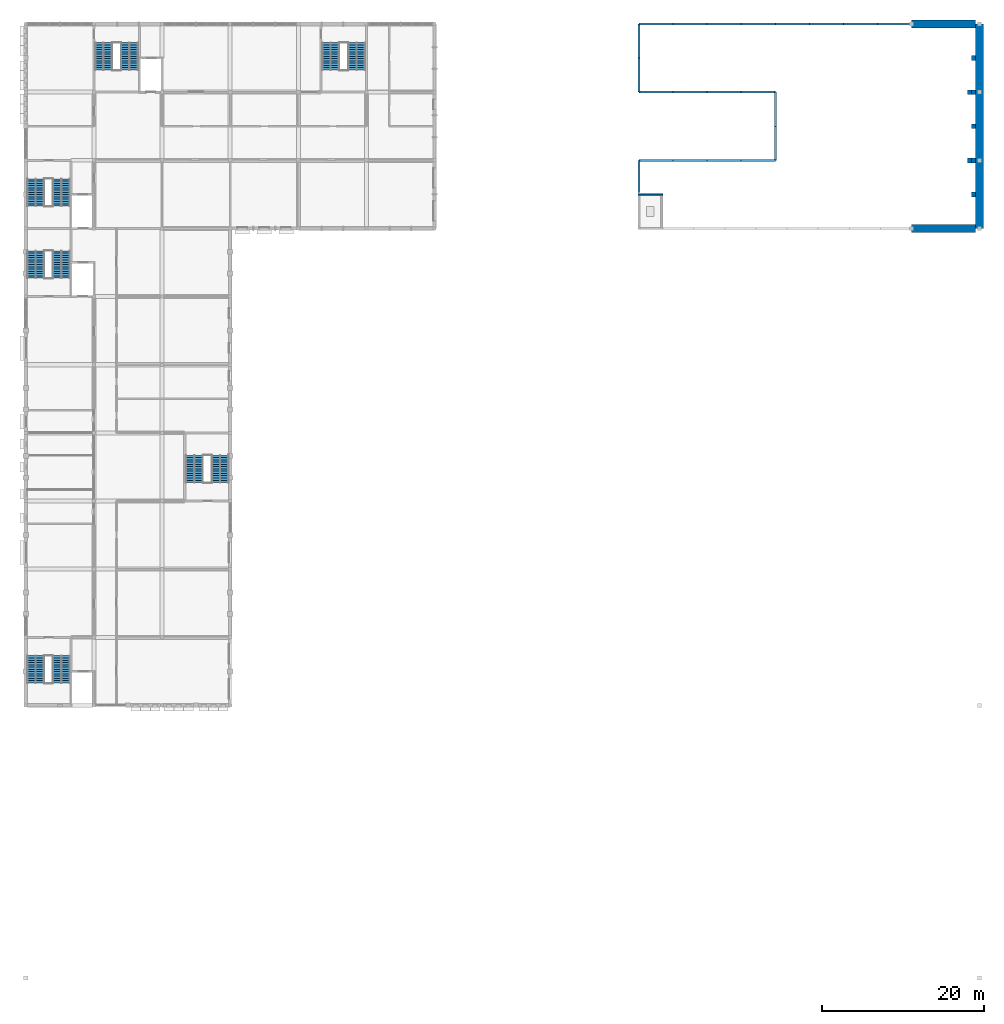
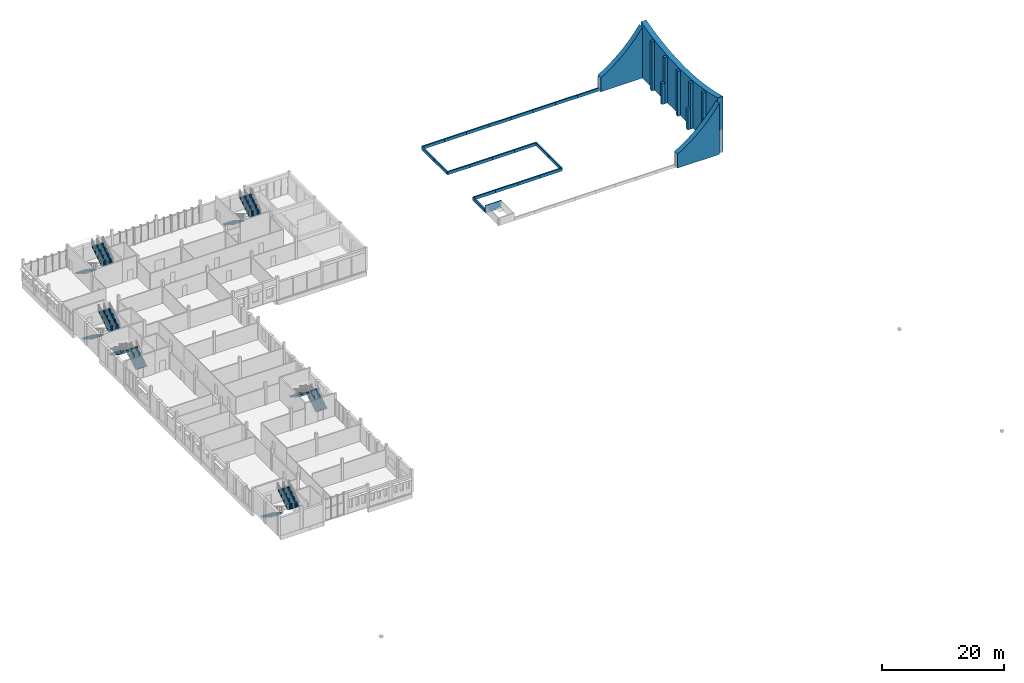
# One storey, part 20 of 22: 32 walls, 12 stair flights, 6 elements without a shape of their own.
"""IFC4 building model written with IfcOpenShell, lengths in metres."""

from ifc_helpers import new_model, si_unit, direction, frame, frame_2d, origin, place, context, subcontext, project, spatial, polyline, rectangle, outline, extrude, material, layer, layer_set, type_object, element, aggregate, save


model = new_model("IFC4")

# Units and contexts
model_context = context("Model", 3, precision=1e-05, world=origin(), true_north=direction((0.0, 1.0)))
body_context = subcontext(model_context, "Body", "Model", "MODEL_VIEW")
ifc_project = project(units=[si_unit("LENGTHUNIT", "METRE"), si_unit("AREAUNIT", "SQUARE_METRE"), si_unit("VOLUMEUNIT", "CUBIC_METRE"), si_unit("PLANEANGLEUNIT", "RADIAN"), si_unit("MASSUNIT", "GRAM", prefix="KILO")], contexts=[model_context])

# Site, building, storey
site_placement = place(None, origin())
site = spatial("IfcSite", under=ifc_project, at=site_placement, CompositionType="ELEMENT")
building_placement = place(site_placement, origin())
building = spatial("IfcBuilding", under=site, at=building_placement, Name="Fescue Hill Polytechnic", CompositionType="ELEMENT")
storey_placement = place(building_placement, frame((0.0, 0.0, 27.0)))
storey = spatial("IfcBuildingStorey", under=building, at=storey_placement, Name="L06", CompositionType="ELEMENT", Elevation=27.0)

# Walls
ifc_material_1 = material(Name="Clay brick masonry", Category="masonry")
ifc_layer_1 = layer(ifc_material_1, 0.60009765625)
ifc_layer_set_1 = layer_set([ifc_layer_1], Name="Clay brick masonry")
wall_type_1 = type_object("IfcWallType", Name="Brick crest pier 600", PredefinedType="SOLIDWALL", material=ifc_layer_set_1)
wall_1_placement = place(storey_placement, frame((117.10009765625, 113.39990234375, 0.0), z_axis=(0.0, 0.0, 1.0), x_axis=(-1.0, 0.0, 0.0)))
element("IfcWall", 1, at=wall_1_placement, inside=storey, type_object=wall_type_1, Name="Studio east crest pier 1", PredefinedType="SOLIDWALL", context=body_context, shape_type="SweptSolid", body=[
    extrude(rectangle(XDim=0.5, YDim=0.60009765625, at=frame_2d((0.25, 0.0))), origin(), (0.0, 0.0, 1.0), 9.785888671875),
])
wall_2_placement = place(storey_placement, frame((117.10009765625, 117.60009765625, 0.0), z_axis=(0.0, 0.0, 1.0), x_axis=(-1.0, 0.0, 0.0)))
element("IfcWall", 2, at=wall_2_placement, inside=storey, type_object=wall_type_1, Name="Studio east crest buttress 02", PredefinedType="SOLIDWALL", context=body_context, shape_type="SweptSolid", body=[
    extrude(rectangle(XDim=0.5, YDim=0.60009765625, at=frame_2d((0.25, 0.0))), origin(), (0.0, 0.0, 1.0), 9.218017578125),
])
wall_3_placement = place(storey_placement, frame((116.60009765625, 117.60009765625, 0.0), z_axis=(0.0, 0.0, 1.0), x_axis=(-1.0, 0.0, 0.0)))
element("IfcWall", 3, at=wall_3_placement, inside=storey, type_object=wall_type_1, Name="Studio east crest buttress 02 foot", PredefinedType="SOLIDWALL", context=body_context, shape_type="SweptSolid", body=[
    extrude(rectangle(XDim=0.5, YDim=0.60009765625, at=frame_2d((0.25, 0.0))), origin(), (0.0, 0.0, 1.0), 4.14794921875),
])
wall_4_placement = place(storey_placement, frame((117.10009765625, 121.800048828125, 0.0), z_axis=(0.0, 0.0, 1.0), x_axis=(-1.0, 0.0, 0.0)))
element("IfcWall", 4, at=wall_4_placement, inside=storey, type_object=wall_type_1, Name="Studio east crest pier 3", PredefinedType="SOLIDWALL", context=body_context, shape_type="SweptSolid", body=[
    extrude(rectangle(XDim=0.5, YDim=0.60009765625, at=frame_2d((0.25, 0.0))), origin(), (0.0, 0.0, 1.0), 9.030029296875),
])
wall_5_placement = place(storey_placement, frame((117.10009765625, 126.0, 0.0), z_axis=(0.0, 0.0, 1.0), x_axis=(-1.0, 0.0, 0.0)))
element("IfcWall", 5, at=wall_5_placement, inside=storey, type_object=wall_type_1, Name="Studio east crest buttress 04", PredefinedType="SOLIDWALL", context=body_context, shape_type="SweptSolid", body=[
    extrude(rectangle(XDim=0.5, YDim=0.60009765625, at=frame_2d((0.25, 0.0))), origin(), (0.0, 0.0, 1.0), 9.218017578125),
])
wall_6_placement = place(storey_placement, frame((116.60009765625, 126.0, 0.0), z_axis=(0.0, 0.0, 1.0), x_axis=(-1.0, 0.0, 0.0)))
element("IfcWall", 6, at=wall_6_placement, inside=storey, type_object=wall_type_1, Name="Studio east crest buttress 04 foot", PredefinedType="SOLIDWALL", context=body_context, shape_type="SweptSolid", body=[
    extrude(rectangle(XDim=0.5, YDim=0.60009765625, at=frame_2d((0.25, 0.0))), origin(), (0.0, 0.0, 1.0), 4.14794921875),
])
wall_7_placement = place(storey_placement, frame((117.10009765625, 130.199951171875, 0.0), z_axis=(0.0, 0.0, 1.0), x_axis=(-1.0, 0.0, 0.0)))
element("IfcWall", 7, at=wall_7_placement, inside=storey, type_object=wall_type_1, Name="Studio east crest pier 5", PredefinedType="SOLIDWALL", context=body_context, shape_type="SweptSolid", body=[
    extrude(rectangle(XDim=0.5, YDim=0.60009765625, at=frame_2d((0.25, 0.0))), origin(), (0.0, 0.0, 1.0), 9.785888671875),
])
ifc_layer_2 = layer(ifc_material_1, 1.0)
ifc_layer_set_2 = layer_set([ifc_layer_2], Name="Clay brick masonry")
wall_type_2 = type_object("IfcWallType", Name="Brick crest wall 1000", PredefinedType="SOLIDWALL", material=ifc_layer_set_2)
wall_8_placement = place(storey_placement, frame((117.60009765625, 109.199951171875, 0.0), z_axis=(0.0, 0.0, 1.0), x_axis=(0.0, 1.0, 0.0)))
element("IfcWall", 8, at=wall_8_placement, inside=storey, type_object=wall_type_2, Name="Studio east crest", PredefinedType="SOLIDWALL", context=body_context, shape_type="SweptSolid", body=[
    extrude(outline(polyline([(0.0, 0.0), (25.199951171875, 0.0), (25.199951171875, 11.0), (23.10009765625, 10.467529296875), (21.0, 10.036376953125), (18.89990234375, 9.70361328125), (16.800048828125, 9.467529296875), (14.699951171875, 9.326416015625), (12.60009765625, 9.279541015625), (10.5, 9.326416015625), (8.39990234375, 9.467529296875), (6.300048828125, 9.70361328125), (4.199951171875, 10.036376953125), (2.10009765625, 10.467529296875), (0.0, 11.0), (0.0, 0.0)])), frame((0.0, 0.5, 0.0), z_axis=(0.0, -1.0, 0.0), x_axis=(1.0, 0.0, 0.0)), (0.0, 0.0, 1.0), 1.0),
])
for number, where, z_axis, x_axis, name in (
    (9, (109.199951171875, 109.199951171875, 0.0), (0.0, 0.0, 1.0), (1.0, 0.0, 0.0), "Studio crest south return"),
    (10, (109.199951171875, 134.39990234375, 0.0), (0.0, 0.0, 1.0), (1.0, 0.0, 0.0), "Studio crest north return"),
):
    element("IfcWall", number, at=place(storey_placement, frame(where, z_axis=z_axis, x_axis=x_axis)), inside=storey, type_object=wall_type_2, Name=name, PredefinedType="SOLIDWALL", context=body_context, shape_type="SweptSolid", body=[
        extrude(outline(polyline([(0.0, 0.0), (7.900146484375, 0.0), (7.89990234375, 10.234619140625), (6.91259765625, 8.8818359375), (5.925048828125, 7.697265625), (4.9375, 6.646728515625), (3.949951171875, 5.7080078125), (2.96240234375, 4.864501953125), (1.97509765625, 4.1044921875), (0.987548828125, 3.418701171875), (0.0, 2.800048828125), (0.0, 0.0)])), frame((0.0, 0.5, 0.0), z_axis=(0.0, -1.0, 0.0), x_axis=(1.0, 0.0, 0.0)), (0.0, 0.0, 1.0), 1.0),
    ])
ifc_material_2 = material(Name="Concrete 40 MPa", Category="concrete")
ifc_layer_3 = layer(ifc_material_2, 0.199951171875)
ifc_layer_set_3 = layer_set([ifc_layer_3], Name="Concrete 40 MPa")
wall_type_3 = type_object("IfcWallType", Name="Lift shaft wall 200", PredefinedType="SHEAR", material=ifc_layer_set_3)
wall_9_placement = place(storey_placement, frame((75.5, 113.39990234375, 0.0), z_axis=(0.0, 0.0, 1.0), x_axis=(1.0, 0.0, 0.0)))
element("IfcWall", 11, at=wall_9_placement, inside=storey, type_object=wall_type_3, Name="OW-LF-V4b-1-2", PredefinedType="SHEAR", context=body_context, shape_type="SweptSolid", body=[
    extrude(rectangle(XDim=3.0, YDim=0.199951171875, at=frame_2d((1.5, 0.0))), origin(), (0.0, 0.0, 1.0), 1.5),
])
ifc_material_3 = material(Name="Concrete 35 MPa", Category="concrete")
ifc_layer_4 = layer(ifc_material_3, 0.25)
ifc_layer_set_4 = layer_set([ifc_layer_4], Name="Concrete 35 MPa")
wall_type_4 = type_object("IfcWallType", Name="Parapet wall concrete 250", PredefinedType="PARAPET", material=ifc_layer_set_4)
wall_10_placement = place(storey_placement, frame((75.60009765625, 113.635009765625, 0.0), z_axis=(0.0, 0.0, 1.0), x_axis=(0.0, 1.0, 0.0)))
element("IfcWall", 12, at=wall_10_placement, inside=storey, type_object=wall_type_4, Name="PP-L06-V4b-9", PredefinedType="PARAPET", context=body_context, shape_type="SweptSolid", body=[
    extrude(rectangle(XDim=3.965087890625, YDim=0.25, at=frame_2d((1.982421875, 0.0))), origin(), (0.0, 0.0, 1.0), 0.60009765625),
])
for number, where, z_axis, x_axis, name in (
    (13, (75.60009765625, 117.60009765625, 0.0), (0.0, 0.0, 1.0), (1.0, 0.0, 0.0), "PP-L06-V4b-10"),
    (14, (79.800048828125, 117.60009765625, 0.0), (0.0, 0.0, 1.0), (1.0, 0.0, 0.0), "PP-L06-V4b-11"),
    (15, (84.0, 117.60009765625, 0.0), (0.0, 0.0, 1.0), (1.0, 0.0, 0.0), "PP-L06-V4b-12"),
    (16, (88.199951171875, 117.60009765625, 0.0), (0.0, 0.0, 1.0), (1.0, 0.0, 0.0), "PP-L06-V4b-13"),
    (17, (92.39990234375, 117.60009765625, 0.0), (0.0, 0.0, 1.0), (0.0, 1.0, 0.0), "PP-L06-V4b-14"),
    (18, (92.39990234375, 121.800048828125, 0.0), (0.0, 0.0, 1.0), (0.0, 1.0, 0.0), "PP-L06-V4b-15"),
    (19, (92.39990234375, 126.0, 0.0), (0.0, 0.0, 1.0), (-1.0, 0.0, 0.0), "PP-L06-V4b-16"),
    (20, (88.199951171875, 126.0, 0.0), (0.0, 0.0, 1.0), (-1.0, 0.0, 0.0), "PP-L06-V4b-17"),
    (21, (84.0, 126.0, 0.0), (0.0, 0.0, 1.0), (-1.0, 0.0, 0.0), "PP-L06-V4b-18"),
    (22, (79.800048828125, 126.0, 0.0), (0.0, 0.0, 1.0), (-1.0, 0.0, 0.0), "PP-L06-V4b-19"),
    (23, (75.60009765625, 126.0, 0.0), (0.0, 0.0, 1.0), (0.0, 1.0, 0.0), "PP-L06-V4b-20"),
    (24, (75.60009765625, 130.199951171875, 0.0), (0.0, 0.0, 1.0), (0.0, 1.0, 0.0), "PP-L06-V4b-21"),
    (25, (75.60009765625, 134.39990234375, 0.0), (0.0, 0.0, 1.0), (1.0, 0.0, 0.0), "PP-L06-V4b-22"),
    (26, (79.800048828125, 134.39990234375, 0.0), (0.0, 0.0, 1.0), (1.0, 0.0, 0.0), "PP-L06-V4b-23"),
    (27, (84.0, 134.39990234375, 0.0), (0.0, 0.0, 1.0), (1.0, 0.0, 0.0), "PP-L06-V4b-24"),
    (28, (88.199951171875, 134.39990234375, 0.0), (0.0, 0.0, 1.0), (1.0, 0.0, 0.0), "PP-L06-V4b-25"),
):
    element("IfcWall", number, at=place(storey_placement, frame(where, z_axis=z_axis, x_axis=x_axis)), inside=storey, type_object=wall_type_4, Name=name, PredefinedType="PARAPET", context=body_context, shape_type="SweptSolid", body=[
        extrude(rectangle(XDim=4.199951171875, YDim=0.25, at=frame_2d((2.10009765625, 0.0))), origin(), (0.0, 0.0, 1.0), 0.60009765625),
    ])
wall_11_placement = place(storey_placement, frame((92.39990234375, 134.39990234375, 0.0), z_axis=(0.0, 0.0, 1.0), x_axis=(1.0, 0.0, 0.0)))
element("IfcWall", 29, at=wall_11_placement, inside=storey, type_object=wall_type_4, Name="PP-L06-V4b-26", PredefinedType="PARAPET", context=body_context, shape_type="SweptSolid", body=[
    extrude(rectangle(XDim=4.2001953125, YDim=0.25, at=frame_2d((2.10009765625, 0.0))), origin(), (0.0, 0.0, 1.0), 0.60009765625),
])
for number, where, z_axis, x_axis, name in (
    (30, (96.60009765625, 134.39990234375, 0.0), (0.0, 0.0, 1.0), (1.0, 0.0, 0.0), "PP-L06-V4b-27"),
    (31, (100.800048828125, 134.39990234375, 0.0), (0.0, 0.0, 1.0), (1.0, 0.0, 0.0), "PP-L06-V4b-28"),
    (32, (105.0, 134.39990234375, 0.0), (0.0, 0.0, 1.0), (1.0, 0.0, 0.0), "PP-L06-V4b-29"),
):
    element("IfcWall", number, at=place(storey_placement, frame(where, z_axis=z_axis, x_axis=x_axis)), inside=storey, type_object=wall_type_4, Name=name, PredefinedType="PARAPET", context=body_context, shape_type="SweptSolid", body=[
        extrude(rectangle(XDim=4.199951171875, YDim=0.25, at=frame_2d((2.10009765625, 0.0))), origin(), (0.0, 0.0, 1.0), 0.60009765625),
    ])

# Stair, stair flights
stair_type = type_object("IfcStairType", Name="Half-turn stair 2150 flights", PredefinedType="HALF_TURN_STAIR", material=ifc_material_3)
stair_1_placement = place(storey_placement, origin())
stair_1 = element("IfcStair", 33, at=stair_1_placement, inside=storey, type_object=stair_type, Name="L06 ST-V4-1 stair", PredefinedType="HALF_TURN_STAIR")
stair_flight_type = type_object("IfcStairFlightType", Name="Stair flight 2150 wide", PredefinedType="STRAIGHT", material=ifc_material_3)
stair_flight_1_placement = place(storey_placement, frame((1.22509765625, 56.52490234375, 0.0), z_axis=(0.0, 0.0, 1.0), x_axis=(0.0, -1.0, 0.0)))
stair_flight_1 = element("IfcStairFlight", 34, at=stair_flight_1_placement, type_object=stair_flight_type, Name="S15 flight 1", NumberOfRisers=13, NumberOfTreads=12, PredefinedType="STRAIGHT", RiserHeight=0.173076923, TreadLength=0.28, context=body_context, shape_type="SweptSolid", body=[
    extrude(outline(polyline([(0.0, 0.0), (0.0, 0.173095703125), (0.280029296875, 0.173095703125), (0.280029296875, 0.34619140625), (0.56005859375, 0.34619140625), (0.56005859375, 0.519287109375), (0.840087890625, 0.519287109375), (0.840087890625, 0.6923828125), (1.1201171875, 0.6923828125), (1.1201171875, 0.865478515625), (1.39990234375, 0.865478515625), (1.39990234375, 1.03857421875), (1.679931640625, 1.03857421875), (1.679931640625, 1.21142578125), (1.9599609375, 1.21142578125), (1.9599609375, 1.384521484375), (2.239990234375, 1.384521484375), (2.239990234375, 1.5576171875), (2.52001953125, 1.5576171875), (2.52001953125, 1.730712890625), (2.800048828125, 1.730712890625), (2.800048828125, 1.90380859375), (3.080078125, 1.90380859375), (3.080078125, 2.076904296875), (3.360107421875, 2.076904296875), (3.360107421875, 2.25), (3.360107421875, 1.900634765625), (0.28515625, 0.0), (0.0, 0.0)])), frame((0.0, 1.074951171875, 0.0), z_axis=(0.0, -1.0, 0.0), x_axis=(1.0, 0.0, 0.0)), (0.0, 0.0, 1.0), 2.14990234375),
])
stair_flight_2_placement = place(storey_placement, frame((4.39990234375, 53.1650390625, 2.25), z_axis=(0.0, 0.0, 1.0), x_axis=(0.0, 1.0, 0.0)))
stair_flight_2 = element("IfcStairFlight", 35, at=stair_flight_2_placement, type_object=stair_flight_type, Name="S15 flight 2", NumberOfRisers=13, NumberOfTreads=12, PredefinedType="STRAIGHT", RiserHeight=0.173076923, TreadLength=0.28, context=body_context, shape_type="SweptSolid", body=[
    extrude(outline(polyline([(0.0, 0.0), (0.0, 0.173095703125), (0.280029296875, 0.173095703125), (0.280029296875, 0.34619140625), (0.56005859375, 0.34619140625), (0.56005859375, 0.519287109375), (0.840087890625, 0.519287109375), (0.840087890625, 0.6923828125), (1.1201171875, 0.6923828125), (1.1201171875, 0.865478515625), (1.39990234375, 0.865478515625), (1.39990234375, 1.03857421875), (1.679931640625, 1.03857421875), (1.679931640625, 1.21142578125), (1.9599609375, 1.21142578125), (1.9599609375, 1.384521484375), (2.239990234375, 1.384521484375), (2.239990234375, 1.5576171875), (2.52001953125, 1.5576171875), (2.52001953125, 1.730712890625), (2.800048828125, 1.730712890625), (2.800048828125, 1.90380859375), (3.080078125, 1.90380859375), (3.080078125, 2.076904296875), (3.360107421875, 2.076904296875), (3.360107421875, 2.25), (3.360107421875, 1.900634765625), (0.28515625, 0.0), (0.0, 0.0)])), frame((0.0, 1.074951171875, 0.0), z_axis=(0.0, -1.0, 0.0), x_axis=(1.0, 0.0, 0.0)), (0.0, 0.0, 1.0), 2.14990234375),
])
aggregate(stair_1, [stair_flight_1, stair_flight_2])

stair_2_placement = place(storey_placement, origin())
stair_2 = element("IfcStair", 36, at=stair_2_placement, inside=storey, type_object=stair_type, Name="L06 ST-V4-2 stair", PredefinedType="HALF_TURN_STAIR")
stair_flight_3_placement = place(storey_placement, frame((4.39990234375, 103.074951171875, 0.0), z_axis=(0.0, 0.0, 1.0), x_axis=(0.0, 1.0, 0.0)))
stair_flight_3 = element("IfcStairFlight", 37, at=stair_flight_3_placement, type_object=stair_flight_type, Name="S16 flight 1", NumberOfRisers=13, NumberOfTreads=12, PredefinedType="STRAIGHT", RiserHeight=0.173076923, TreadLength=0.28, context=body_context, shape_type="SweptSolid", body=[
    extrude(outline(polyline([(0.0, 0.0), (0.0, 0.173095703125), (0.280029296875, 0.173095703125), (0.280029296875, 0.34619140625), (0.56005859375, 0.34619140625), (0.56005859375, 0.519287109375), (0.840087890625, 0.519287109375), (0.840087890625, 0.6923828125), (1.1201171875, 0.6923828125), (1.1201171875, 0.865478515625), (1.39990234375, 0.865478515625), (1.39990234375, 1.03857421875), (1.679931640625, 1.03857421875), (1.679931640625, 1.21142578125), (1.9599609375, 1.21142578125), (1.9599609375, 1.384521484375), (2.239990234375, 1.384521484375), (2.239990234375, 1.5576171875), (2.52001953125, 1.5576171875), (2.52001953125, 1.730712890625), (2.800048828125, 1.730712890625), (2.800048828125, 1.90380859375), (3.080078125, 1.90380859375), (3.080078125, 2.076904296875), (3.360107421875, 2.076904296875), (3.360107421875, 2.25), (3.360107421875, 1.900634765625), (0.28515625, 0.0), (0.0, 0.0)])), frame((0.0, 1.074951171875, 0.0), z_axis=(0.0, -1.0, 0.0), x_axis=(1.0, 0.0, 0.0)), (0.0, 0.0, 1.0), 2.14990234375),
])
stair_flight_4_placement = place(storey_placement, frame((1.22509765625, 106.43505859375, 2.25), z_axis=(0.0, 0.0, 1.0), x_axis=(0.0, -1.0, 0.0)))
stair_flight_4 = element("IfcStairFlight", 38, at=stair_flight_4_placement, type_object=stair_flight_type, Name="S16 flight 2", NumberOfRisers=13, NumberOfTreads=12, PredefinedType="STRAIGHT", RiserHeight=0.173076923, TreadLength=0.28, context=body_context, shape_type="SweptSolid", body=[
    extrude(outline(polyline([(0.0, 0.0), (0.0, 0.173095703125), (0.280029296875, 0.173095703125), (0.280029296875, 0.34619140625), (0.56005859375, 0.34619140625), (0.56005859375, 0.519287109375), (0.840087890625, 0.519287109375), (0.840087890625, 0.6923828125), (1.1201171875, 0.6923828125), (1.1201171875, 0.865478515625), (1.39990234375, 0.865478515625), (1.39990234375, 1.03857421875), (1.679931640625, 1.03857421875), (1.679931640625, 1.21142578125), (1.9599609375, 1.21142578125), (1.9599609375, 1.384521484375), (2.239990234375, 1.384521484375), (2.239990234375, 1.5576171875), (2.52001953125, 1.5576171875), (2.52001953125, 1.730712890625), (2.800048828125, 1.730712890625), (2.800048828125, 1.90380859375), (3.080078125, 1.90380859375), (3.080078125, 2.076904296875), (3.360107421875, 2.076904296875), (3.360107421875, 2.25), (3.360107421875, 1.900634765625), (0.28515625, 0.0), (0.0, 0.0)])), frame((0.0, 1.074951171875, 0.0), z_axis=(0.0, -1.0, 0.0), x_axis=(1.0, 0.0, 0.0)), (0.0, 0.0, 1.0), 2.14990234375),
])
aggregate(stair_2, [stair_flight_3, stair_flight_4])

stair_3_placement = place(storey_placement, origin())
stair_3 = element("IfcStair", 39, at=stair_3_placement, inside=storey, type_object=stair_type, Name="L06 ST-V4-3 stair", PredefinedType="HALF_TURN_STAIR")
stair_flight_5_placement = place(storey_placement, frame((23.97509765625, 77.875, 0.0), z_axis=(0.0, 0.0, 1.0), x_axis=(0.0, 1.0, 0.0)))
stair_flight_5 = element("IfcStairFlight", 40, at=stair_flight_5_placement, type_object=stair_flight_type, Name="S17 flight 1", NumberOfRisers=13, NumberOfTreads=12, PredefinedType="STRAIGHT", RiserHeight=0.173076923, TreadLength=0.28, context=body_context, shape_type="SweptSolid", body=[
    extrude(outline(polyline([(0.0, 0.0), (0.0, 0.173095703125), (0.280029296875, 0.173095703125), (0.280029296875, 0.34619140625), (0.56005859375, 0.34619140625), (0.56005859375, 0.519287109375), (0.840087890625, 0.519287109375), (0.840087890625, 0.6923828125), (1.1201171875, 0.6923828125), (1.1201171875, 0.865478515625), (1.39990234375, 0.865478515625), (1.39990234375, 1.03857421875), (1.679931640625, 1.03857421875), (1.679931640625, 1.21142578125), (1.9599609375, 1.21142578125), (1.9599609375, 1.384521484375), (2.239990234375, 1.384521484375), (2.239990234375, 1.5576171875), (2.52001953125, 1.5576171875), (2.52001953125, 1.730712890625), (2.800048828125, 1.730712890625), (2.800048828125, 1.90380859375), (3.080078125, 1.90380859375), (3.080078125, 2.076904296875), (3.360107421875, 2.076904296875), (3.360107421875, 2.25), (3.360107421875, 1.900634765625), (0.28515625, 0.0), (0.0, 0.0)])), frame((0.0, 1.074951171875, 0.0), z_axis=(0.0, -1.0, 0.0), x_axis=(1.0, 0.0, 0.0)), (0.0, 0.0, 1.0), 2.14990234375),
])
stair_flight_6_placement = place(storey_placement, frame((20.800048828125, 81.235107421875, 2.25), z_axis=(0.0, 0.0, 1.0), x_axis=(0.0, -1.0, 0.0)))
stair_flight_6 = element("IfcStairFlight", 41, at=stair_flight_6_placement, type_object=stair_flight_type, Name="S17 flight 2", NumberOfRisers=13, NumberOfTreads=12, PredefinedType="STRAIGHT", RiserHeight=0.173076923, TreadLength=0.28, context=body_context, shape_type="SweptSolid", body=[
    extrude(outline(polyline([(0.0, 0.0), (0.0, 0.173095703125), (0.280029296875, 0.173095703125), (0.280029296875, 0.34619140625), (0.56005859375, 0.34619140625), (0.56005859375, 0.519287109375), (0.840087890625, 0.519287109375), (0.840087890625, 0.6923828125), (1.1201171875, 0.6923828125), (1.1201171875, 0.865478515625), (1.39990234375, 0.865478515625), (1.39990234375, 1.03857421875), (1.679931640625, 1.03857421875), (1.679931640625, 1.21142578125), (1.9599609375, 1.21142578125), (1.9599609375, 1.384521484375), (2.239990234375, 1.384521484375), (2.239990234375, 1.5576171875), (2.52001953125, 1.5576171875), (2.52001953125, 1.730712890625), (2.800048828125, 1.730712890625), (2.800048828125, 1.90380859375), (3.080078125, 1.90380859375), (3.080078125, 2.076904296875), (3.360107421875, 2.076904296875), (3.360107421875, 2.25), (3.360107421875, 1.900634765625), (0.28515625, 0.0), (0.0, 0.0)])), frame((0.0, 1.074951171875, 0.0), z_axis=(0.0, -1.0, 0.0), x_axis=(1.0, 0.0, 0.0)), (0.0, 0.0, 1.0), 2.14990234375),
])
aggregate(stair_3, [stair_flight_5, stair_flight_6])

stair_4_placement = place(storey_placement, origin())
stair_4 = element("IfcStair", 42, at=stair_4_placement, inside=storey, type_object=stair_type, Name="L06 ST-V5-1 stair", PredefinedType="HALF_TURN_STAIR")
stair_flight_7_placement = place(storey_placement, frame((1.22509765625, 115.324951171875, 0.0), z_axis=(0.0, 0.0, 1.0), x_axis=(0.0, -1.0, 0.0)))
stair_flight_7 = element("IfcStairFlight", 43, at=stair_flight_7_placement, type_object=stair_flight_type, Name="S18 flight 1", NumberOfRisers=13, NumberOfTreads=12, PredefinedType="STRAIGHT", RiserHeight=0.173076923, TreadLength=0.28, context=body_context, shape_type="SweptSolid", body=[
    extrude(outline(polyline([(0.0, 0.0), (0.0, 0.173095703125), (0.280029296875, 0.173095703125), (0.280029296875, 0.34619140625), (0.56005859375, 0.34619140625), (0.56005859375, 0.519287109375), (0.840087890625, 0.519287109375), (0.840087890625, 0.6923828125), (1.1201171875, 0.6923828125), (1.1201171875, 0.865478515625), (1.39990234375, 0.865478515625), (1.39990234375, 1.03857421875), (1.679931640625, 1.03857421875), (1.679931640625, 1.21142578125), (1.9599609375, 1.21142578125), (1.9599609375, 1.384521484375), (2.239990234375, 1.384521484375), (2.239990234375, 1.5576171875), (2.52001953125, 1.5576171875), (2.52001953125, 1.730712890625), (2.800048828125, 1.730712890625), (2.800048828125, 1.90380859375), (3.080078125, 1.90380859375), (3.080078125, 2.076904296875), (3.360107421875, 2.076904296875), (3.360107421875, 2.25), (3.360107421875, 1.900634765625), (0.28515625, 0.0), (0.0, 0.0)])), frame((0.0, 1.074951171875, 0.0), z_axis=(0.0, -1.0, 0.0), x_axis=(1.0, 0.0, 0.0)), (0.0, 0.0, 1.0), 2.14990234375),
])
stair_flight_8_placement = place(storey_placement, frame((4.39990234375, 111.965087890625, 2.25), z_axis=(0.0, 0.0, 1.0), x_axis=(0.0, 1.0, 0.0)))
stair_flight_8 = element("IfcStairFlight", 44, at=stair_flight_8_placement, type_object=stair_flight_type, Name="S18 flight 2", NumberOfRisers=13, NumberOfTreads=12, PredefinedType="STRAIGHT", RiserHeight=0.173076923, TreadLength=0.28, context=body_context, shape_type="SweptSolid", body=[
    extrude(outline(polyline([(0.0, 0.0), (0.0, 0.173095703125), (0.280029296875, 0.173095703125), (0.280029296875, 0.34619140625), (0.56005859375, 0.34619140625), (0.56005859375, 0.519287109375), (0.840087890625, 0.519287109375), (0.840087890625, 0.6923828125), (1.1201171875, 0.6923828125), (1.1201171875, 0.865478515625), (1.39990234375, 0.865478515625), (1.39990234375, 1.03857421875), (1.679931640625, 1.03857421875), (1.679931640625, 1.21142578125), (1.9599609375, 1.21142578125), (1.9599609375, 1.384521484375), (2.239990234375, 1.384521484375), (2.239990234375, 1.5576171875), (2.52001953125, 1.5576171875), (2.52001953125, 1.730712890625), (2.800048828125, 1.730712890625), (2.800048828125, 1.90380859375), (3.080078125, 1.90380859375), (3.080078125, 2.076904296875), (3.360107421875, 2.076904296875), (3.360107421875, 2.25), (3.360107421875, 1.900634765625), (0.28515625, 0.0), (0.0, 0.0)])), frame((0.0, 1.074951171875, 0.0), z_axis=(0.0, -1.0, 0.0), x_axis=(1.0, 0.0, 0.0)), (0.0, 0.0, 1.0), 2.14990234375),
])
aggregate(stair_4, [stair_flight_7, stair_flight_8])

stair_5_placement = place(storey_placement, origin())
stair_5 = element("IfcStair", 45, at=stair_5_placement, inside=storey, type_object=stair_type, Name="L06 ST-V5-2 stair", PredefinedType="HALF_TURN_STAIR")
stair_flight_9_placement = place(storey_placement, frame((37.60009765625, 132.10009765625, 0.0), z_axis=(0.0, 0.0, 1.0), x_axis=(0.0, -1.0, 0.0)))
stair_flight_9 = element("IfcStairFlight", 46, at=stair_flight_9_placement, type_object=stair_flight_type, Name="S19 flight 1", NumberOfRisers=13, NumberOfTreads=12, PredefinedType="STRAIGHT", RiserHeight=0.173076923, TreadLength=0.28, context=body_context, shape_type="SweptSolid", body=[
    extrude(outline(polyline([(0.0, 0.0), (0.0, 0.173095703125), (0.280029296875, 0.173095703125), (0.280029296875, 0.34619140625), (0.56005859375, 0.34619140625), (0.56005859375, 0.519287109375), (0.840087890625, 0.519287109375), (0.840087890625, 0.6923828125), (1.1201171875, 0.6923828125), (1.1201171875, 0.865478515625), (1.39990234375, 0.865478515625), (1.39990234375, 1.03857421875), (1.679931640625, 1.03857421875), (1.679931640625, 1.21142578125), (1.9599609375, 1.21142578125), (1.9599609375, 1.384521484375), (2.239990234375, 1.384521484375), (2.239990234375, 1.5576171875), (2.52001953125, 1.5576171875), (2.52001953125, 1.730712890625), (2.800048828125, 1.730712890625), (2.800048828125, 1.90380859375), (3.080078125, 1.90380859375), (3.080078125, 2.076904296875), (3.360107421875, 2.076904296875), (3.360107421875, 2.25), (3.360107421875, 1.900634765625), (0.28515625, 0.0), (0.0, 0.0)])), frame((0.0, 1.074951171875, 0.0), z_axis=(0.0, -1.0, 0.0), x_axis=(1.0, 0.0, 0.0)), (0.0, 0.0, 1.0), 2.14990234375),
])
stair_flight_10_placement = place(storey_placement, frame((40.800048828125, 128.739990234375, 2.25), z_axis=(0.0, 0.0, 1.0), x_axis=(0.0, 1.0, 0.0)))
stair_flight_10 = element("IfcStairFlight", 47, at=stair_flight_10_placement, type_object=stair_flight_type, Name="S19 flight 2", NumberOfRisers=13, NumberOfTreads=12, PredefinedType="STRAIGHT", RiserHeight=0.173076923, TreadLength=0.28, context=body_context, shape_type="SweptSolid", body=[
    extrude(outline(polyline([(0.0, 0.0), (0.0, 0.173095703125), (0.280029296875, 0.173095703125), (0.280029296875, 0.34619140625), (0.56005859375, 0.34619140625), (0.56005859375, 0.519287109375), (0.840087890625, 0.519287109375), (0.840087890625, 0.6923828125), (1.1201171875, 0.6923828125), (1.1201171875, 0.865478515625), (1.39990234375, 0.865478515625), (1.39990234375, 1.03857421875), (1.679931640625, 1.03857421875), (1.679931640625, 1.21142578125), (1.9599609375, 1.21142578125), (1.9599609375, 1.384521484375), (2.239990234375, 1.384521484375), (2.239990234375, 1.5576171875), (2.52001953125, 1.5576171875), (2.52001953125, 1.730712890625), (2.800048828125, 1.730712890625), (2.800048828125, 1.90380859375), (3.080078125, 1.90380859375), (3.080078125, 2.076904296875), (3.360107421875, 2.076904296875), (3.360107421875, 2.25), (3.360107421875, 1.900634765625), (0.28515625, 0.0), (0.0, 0.0)])), frame((0.0, 1.074951171875, 0.0), z_axis=(0.0, -1.0, 0.0), x_axis=(1.0, 0.0, 0.0)), (0.0, 0.0, 1.0), 2.14990234375),
])
aggregate(stair_5, [stair_flight_9, stair_flight_10])

stair_6_placement = place(storey_placement, origin())
stair_6 = element("IfcStair", 48, at=stair_6_placement, inside=storey, type_object=stair_type, Name="L06 ST-V5-3 stair", PredefinedType="HALF_TURN_STAIR")
stair_flight_11_placement = place(storey_placement, frame((9.60009765625, 132.10009765625, 0.0), z_axis=(0.0, 0.0, 1.0), x_axis=(0.0, -1.0, 0.0)))
stair_flight_11 = element("IfcStairFlight", 49, at=stair_flight_11_placement, type_object=stair_flight_type, Name="S20 flight 1", NumberOfRisers=13, NumberOfTreads=12, PredefinedType="STRAIGHT", RiserHeight=0.173076923, TreadLength=0.28, context=body_context, shape_type="SweptSolid", body=[
    extrude(outline(polyline([(0.0, 0.0), (0.0, 0.173095703125), (0.280029296875, 0.173095703125), (0.280029296875, 0.34619140625), (0.56005859375, 0.34619140625), (0.56005859375, 0.519287109375), (0.840087890625, 0.519287109375), (0.840087890625, 0.6923828125), (1.1201171875, 0.6923828125), (1.1201171875, 0.865478515625), (1.39990234375, 0.865478515625), (1.39990234375, 1.03857421875), (1.679931640625, 1.03857421875), (1.679931640625, 1.21142578125), (1.9599609375, 1.21142578125), (1.9599609375, 1.384521484375), (2.239990234375, 1.384521484375), (2.239990234375, 1.5576171875), (2.52001953125, 1.5576171875), (2.52001953125, 1.730712890625), (2.800048828125, 1.730712890625), (2.800048828125, 1.90380859375), (3.080078125, 1.90380859375), (3.080078125, 2.076904296875), (3.360107421875, 2.076904296875), (3.360107421875, 2.25), (3.360107421875, 1.900634765625), (0.28515625, 0.0), (0.0, 0.0)])), frame((0.0, 1.074951171875, 0.0), z_axis=(0.0, -1.0, 0.0), x_axis=(1.0, 0.0, 0.0)), (0.0, 0.0, 1.0), 2.14990234375),
])
stair_flight_12_placement = place(storey_placement, frame((12.800048828125, 128.739990234375, 2.25), z_axis=(0.0, 0.0, 1.0), x_axis=(0.0, 1.0, 0.0)))
stair_flight_12 = element("IfcStairFlight", 50, at=stair_flight_12_placement, type_object=stair_flight_type, Name="S20 flight 2", NumberOfRisers=13, NumberOfTreads=12, PredefinedType="STRAIGHT", RiserHeight=0.173076923, TreadLength=0.28, context=body_context, shape_type="SweptSolid", body=[
    extrude(outline(polyline([(0.0, 0.0), (0.0, 0.173095703125), (0.280029296875, 0.173095703125), (0.280029296875, 0.34619140625), (0.56005859375, 0.34619140625), (0.56005859375, 0.519287109375), (0.840087890625, 0.519287109375), (0.840087890625, 0.6923828125), (1.1201171875, 0.6923828125), (1.1201171875, 0.865478515625), (1.39990234375, 0.865478515625), (1.39990234375, 1.03857421875), (1.679931640625, 1.03857421875), (1.679931640625, 1.21142578125), (1.9599609375, 1.21142578125), (1.9599609375, 1.384521484375), (2.239990234375, 1.384521484375), (2.239990234375, 1.5576171875), (2.52001953125, 1.5576171875), (2.52001953125, 1.730712890625), (2.800048828125, 1.730712890625), (2.800048828125, 1.90380859375), (3.080078125, 1.90380859375), (3.080078125, 2.076904296875), (3.360107421875, 2.076904296875), (3.360107421875, 2.25), (3.360107421875, 1.900634765625), (0.28515625, 0.0), (0.0, 0.0)])), frame((0.0, 1.074951171875, 0.0), z_axis=(0.0, -1.0, 0.0), x_axis=(1.0, 0.0, 0.0)), (0.0, 0.0, 1.0), 2.14990234375),
])
aggregate(stair_6, [stair_flight_11, stair_flight_12])

save(model, "model.ifc")
